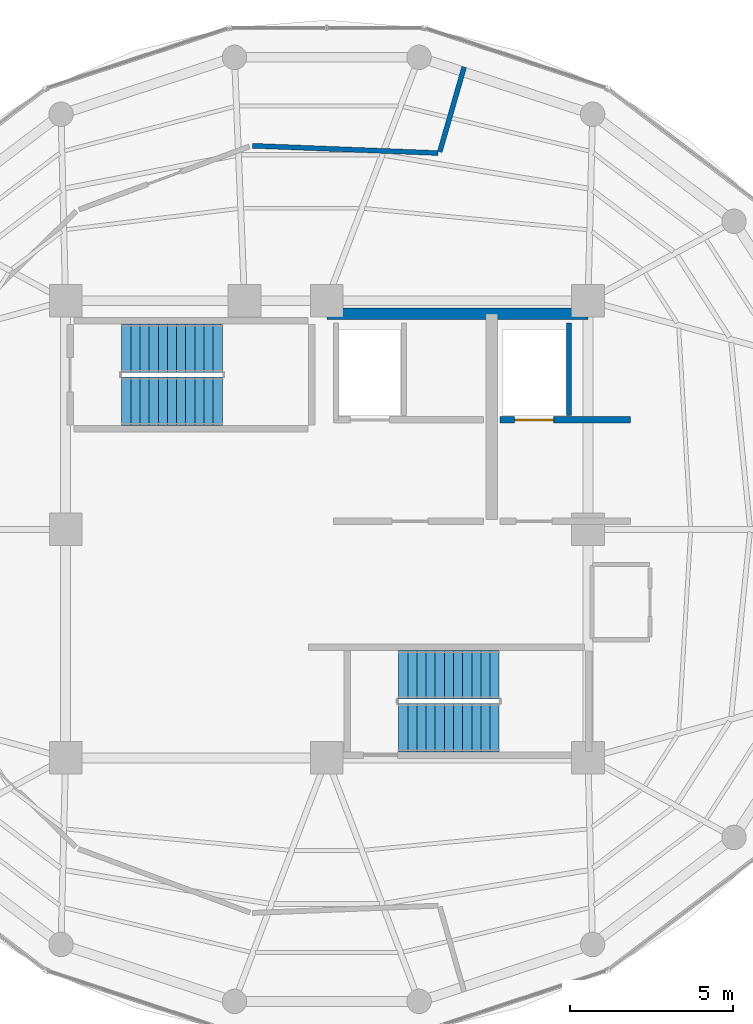
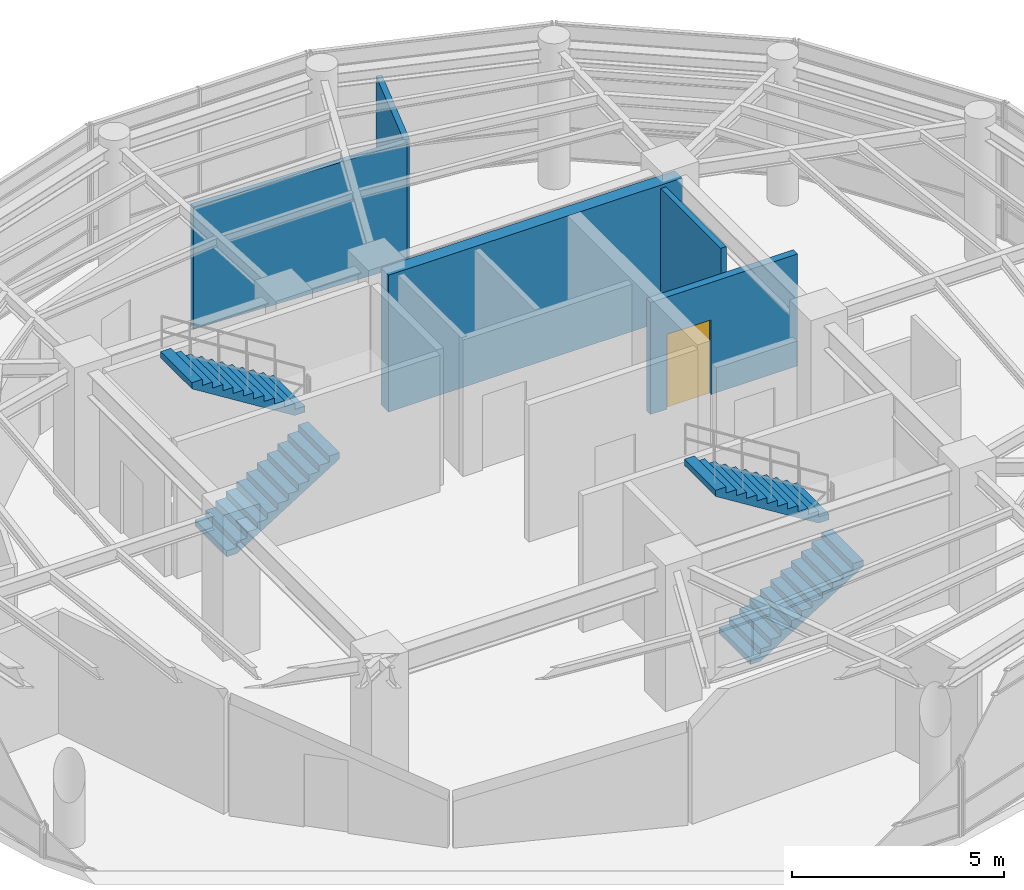
# One storey, part 18 of 19: 5 walls, 4 stair flights, 1 door, 1 opening, 2 elements without a shape of their own.
"""IFC4 building model written with IfcOpenShell, lengths in metres."""

from ifc_helpers import new_model, si_unit, direction, frame, frame_2d, origin, place, context, subcontext, project, spatial, polyline, rectangle, outline, extrude, material, layer, layer_set, type_object, element, fill, aggregate, save


model = new_model("IFC4")

# Units and contexts
model_context = context("Model", 3, precision=1e-05, world=origin(), true_north=direction((0.0, 1.0)))
body_context = subcontext(model_context, "Body", "Model", "MODEL_VIEW")
ifc_project = project(units=[si_unit("LENGTHUNIT", "METRE"), si_unit("AREAUNIT", "SQUARE_METRE"), si_unit("VOLUMEUNIT", "CUBIC_METRE"), si_unit("PLANEANGLEUNIT", "RADIAN"), si_unit("MASSUNIT", "GRAM", prefix="KILO")], contexts=[model_context])

# Site, building, storey
site_placement = place(None, origin())
site = spatial("IfcSite", under=ifc_project, at=site_placement, CompositionType="ELEMENT")
building_placement = place(site_placement, origin())
building = spatial("IfcBuilding", under=site, at=building_placement, Name="Kelanora Arch Commons", CompositionType="ELEMENT")
storey_placement = place(building_placement, frame((0.0, 0.0, 302.699951171875)))
storey = spatial("IfcBuildingStorey", under=building, at=storey_placement, Name="L77", CompositionType="ELEMENT", Elevation=302.699951171875)

# Walls
ifc_material_1 = material(Name="Autoclaved aerated concrete blockwork with fire plaster", Category="masonry")
ifc_layer_1 = layer(ifc_material_1, 0.14990234375)
ifc_layer_set_1 = layer_set([ifc_layer_1], Name="Autoclaved aerated concrete blockwork with fire plaster")
wall_type_1 = type_object("IfcWallType", Name="W-COMP-150", PredefinedType="PARTITIONING", material=ifc_layer_set_1)
wall_1_placement = place(storey_placement, frame((81.419921875, 61.47998046875, 0.0), z_axis=(0.0, 0.0, 1.0), x_axis=(0.0, 1.0, 0.0)))
element("IfcWall", 1, at=wall_1_placement, inside=storey, type_object=wall_type_1, Name="Firefighting Lift 2 East Shaft Wall L77", PredefinedType="PARTITIONING", context=body_context, shape_type="SweptSolid", body=[
    extrude(rectangle(XDim=2.840087890625, YDim=0.14990234375, at=frame_2d((1.419921875, 0.0))), origin(), (0.0, 0.0, 1.0), 3.929931640625),
])
wall_2_placement = place(storey_placement, frame((77.409912109375, 69.524658203125, 0.0), z_axis=(0.0, 0.0, 1.0), x_axis=(-0.999233860457, 0.03913683834, 0.0)))
element("IfcWall", 2, at=wall_2_placement, inside=storey, type_object=wall_type_1, Name="Crown Chiller and Cooling Tower Plant Room L77 Enclosure Partition 1", PredefinedType="PARTITIONING", context=body_context, shape_type="SweptSolid", body=[
    extrude(rectangle(XDim=5.689208984375, YDim=0.14990234375, at=frame_2d((2.8447265625, 0.0))), origin(), (0.0, 0.0, 1.0), 3.525146484375),
])
wall_3_placement = place(storey_placement, frame((78.2080078125, 72.16064453125, 0.0), z_axis=(0.0, 0.0, 1.0), x_axis=(-0.276223004297, -0.961093570833, 0.0)))
element("IfcWall", 3, at=wall_3_placement, inside=storey, type_object=wall_type_1, Name="Crown Chiller and Cooling Tower Plant Room L77 Enclosure Partition 10", PredefinedType="PARTITIONING", context=body_context, shape_type="SweptSolid", body=[
    extrude(rectangle(XDim=2.70458984375, YDim=0.14990234375, at=frame_2d((1.352294921875, 0.0))), origin(), (0.0, 0.0, 1.0), 3.525146484375),
])
ifc_material_2 = material(Name="Concrete C50/60", Category="concrete")
ifc_layer_2 = layer(ifc_material_2, 0.35009765625)
ifc_layer_set_2 = layer_set([ifc_layer_2], Name="Concrete C50/60")
wall_type_2 = type_object("IfcWallType", Name="W-CORE-350", PredefinedType="SHEAR", material=ifc_layer_set_2)
wall_4_placement = place(storey_placement, frame((74.0, 64.60009765625, 0.0), z_axis=(0.0, 0.0, 1.0), x_axis=(1.0, 0.0, 0.0)))
element("IfcWall", 4, at=wall_4_placement, inside=storey, type_object=wall_type_2, Name="Core Shear Spine L77-CN-E", PredefinedType="SHEAR", context=body_context, shape_type="SweptSolid", body=[
    extrude(rectangle(XDim=8.0, YDim=0.35009765625, at=frame_2d((4.0, 0.0))), origin(), (0.0, 0.0, 1.0), 3.93994140625),
])

# Wall, opening, door
ifc_material_3 = material(Name="Concrete C40/50", Category="concrete")
ifc_layer_3 = layer(ifc_material_3, 0.199951171875)
ifc_layer_set_3 = layer_set([ifc_layer_3], Name="Concrete C40/50")
wall_type_3 = type_object("IfcWallType", Name="W-FFL-200", PredefinedType="SOLIDWALL", material=ifc_layer_set_3)
wall_5_placement = place(storey_placement, frame((79.300048828125, 61.35009765625, 0.0), z_axis=(0.0, 0.0, 1.0), x_axis=(1.0, 0.0, 0.0)))
wall_5 = element("IfcWall", 5, at=wall_5_placement, inside=storey, type_object=wall_type_3, Name="Firefighting Lift 2 Shaft Front L77", PredefinedType="SOLIDWALL", context=body_context, shape_type="SweptSolid", body=[
    extrude(rectangle(XDim=4.0, YDim=0.199951171875, at=frame_2d((2.0, 0.0))), origin(), (0.0, 0.0, 1.0), 3.22509765625),
])
opening_placement = place(wall_5_placement, frame((0.449951171875, 0.0, 0.0)))
opening = element("IfcOpeningElement", 6, at=opening_placement, cuts=wall_5, Name="Opening LD-FF", PredefinedType="OPENING", context=body_context, shape_type="SweptSolid", body=[
    extrude(rectangle(XDim=1.199951171875, YDim=2.14990234375, at=frame_2d((0.60009765625, 1.074951171875))), frame((0.0, 0.10986328125, 0.0), z_axis=(0.0, -1.0, 0.0), x_axis=(1.0, 0.0, 0.0)), (0.0, 0.0, 1.0), 0.219970703125),
])
ifc_material_4 = material(Name="Fire-rated firefighters lift sliding landing door")
door_type = type_object("IfcDoorType", Name="D-LIFT-FF", OperationType="NOTDEFINED", PredefinedType="DOOR", material=ifc_material_4)
door_placement = place(opening_placement, origin())
door = element("IfcDoor", 7, at=door_placement, inside=storey, type_object=door_type, Name="Firefighting Lift LF-FF2 Landing Door L77", OperationType="DOUBLE_DOOR_SLIDING", OverallHeight=2.14990234375, OverallWidth=1.199951171875, PredefinedType="DOOR", context=body_context, shape_type="SweptSolid", body=[
    extrude(rectangle(XDim=1.199951171875, YDim=2.14990234375, at=frame_2d((0.60009765625, 1.074951171875))), frame((0.0, 0.02490234375, 0.0), z_axis=(0.0, -1.0, 0.0), x_axis=(1.0, 0.0, 0.0)), (0.0, 0.0, 1.0), 0.050048828125),
])
fill(opening, door)

# Stair, stair flights
stair_type = type_object("IfcStairType", Name="STR-DL-420", PredefinedType="HALF_TURN_STAIR", material=ifc_material_3)
stair_1_placement = place(storey_placement, origin())
stair_1 = element("IfcStair", 8, at=stair_1_placement, inside=storey, type_object=stair_type, Name="L77 ST-T1", PredefinedType="HALF_TURN_STAIR")
stair_flight_type = type_object("IfcStairFlightType", Name="FLT-DL-420", PredefinedType="STRAIGHT", material=ifc_material_3)
stair_flight_1_placement = place(storey_placement, frame((67.719970703125, 61.919921875, 0.0), z_axis=(0.0, 0.0, 1.0), x_axis=(1.0, 0.0, 0.0)))
stair_flight_1 = element("IfcStairFlight", 9, at=stair_flight_1_placement, type_object=stair_flight_type, Name="ST-T1 flight 1", NumberOfRisers=12, NumberOfTreads=11, PredefinedType="STRAIGHT", RiserHeight=0.175, TreadLength=0.28, context=body_context, shape_type="SweptSolid", body=[
    extrude(outline(polyline([(0.0, 0.0), (0.0, 0.175048828125), (0.280029296875, 0.175048828125), (0.280029296875, 0.35009765625), (0.56005859375, 0.35009765625), (0.56005859375, 0.52490234375), (0.840087890625, 0.52490234375), (0.840087890625, 0.699951171875), (1.1201171875, 0.699951171875), (1.1201171875, 0.875), (1.39990234375, 0.875), (1.39990234375, 1.050048828125), (1.679931640625, 1.050048828125), (1.679931640625, 1.22509765625), (1.9599609375, 1.22509765625), (1.9599609375, 1.39990234375), (2.239990234375, 1.39990234375), (2.239990234375, 1.574951171875), (2.52001953125, 1.574951171875), (2.52001953125, 1.75), (2.800048828125, 1.75), (2.800048828125, 1.925048828125), (3.080078125, 1.925048828125), (3.080078125, 2.10009765625), (3.080078125, 1.748291015625), (0.28271484375, 0.0), (0.0, 0.0)])), frame((0.0, 0.739990234375, 0.0), z_axis=(0.0, -1.0, 0.0), x_axis=(1.0, 0.0, 0.0)), (0.0, 0.0, 1.0), 1.47998046875),
])
stair_flight_2_placement = place(storey_placement, frame((70.800048828125, 63.550048828125, 2.10009765625), z_axis=(0.0, 0.0, 1.0), x_axis=(-1.0, 0.0, 0.0)))
stair_flight_2 = element("IfcStairFlight", 10, at=stair_flight_2_placement, type_object=stair_flight_type, Name="ST-T1 flight 2", NumberOfRisers=12, NumberOfTreads=11, PredefinedType="STRAIGHT", RiserHeight=0.175, TreadLength=0.28, context=body_context, shape_type="SweptSolid", body=[
    extrude(outline(polyline([(0.0, 0.0), (0.0, 0.175048828125), (0.280029296875, 0.175048828125), (0.280029296875, 0.35009765625), (0.56005859375, 0.35009765625), (0.56005859375, 0.52490234375), (0.840087890625, 0.52490234375), (0.840087890625, 0.699951171875), (1.1201171875, 0.699951171875), (1.1201171875, 0.875), (1.39990234375, 0.875), (1.39990234375, 1.050048828125), (1.679931640625, 1.050048828125), (1.679931640625, 1.22509765625), (1.9599609375, 1.22509765625), (1.9599609375, 1.39990234375), (2.239990234375, 1.39990234375), (2.239990234375, 1.574951171875), (2.52001953125, 1.574951171875), (2.52001953125, 1.75), (2.800048828125, 1.75), (2.800048828125, 1.925048828125), (3.080078125, 1.925048828125), (3.080078125, 2.10009765625), (3.080078125, 1.748291015625), (0.28271484375, 0.0), (0.0, 0.0)])), frame((0.0, 0.739990234375, 0.0), z_axis=(0.0, -1.0, 0.0), x_axis=(1.0, 0.0, 0.0)), (0.0, 0.0, 1.0), 1.47998046875),
])
aggregate(stair_1, [stair_flight_1, stair_flight_2])

stair_2_placement = place(storey_placement, origin())
stair_2 = element("IfcStair", 11, at=stair_2_placement, inside=storey, type_object=stair_type, Name="L77 ST-T2", PredefinedType="HALF_TURN_STAIR")
stair_flight_3_placement = place(storey_placement, frame((76.199951171875, 51.919921875, 0.0), z_axis=(0.0, 0.0, 1.0), x_axis=(1.0, 0.0, 0.0)))
stair_flight_3 = element("IfcStairFlight", 12, at=stair_flight_3_placement, type_object=stair_flight_type, Name="ST-T2 flight 1", NumberOfRisers=12, NumberOfTreads=11, PredefinedType="STRAIGHT", RiserHeight=0.175, TreadLength=0.28, context=body_context, shape_type="SweptSolid", body=[
    extrude(outline(polyline([(0.0, 0.0), (0.0, 0.175048828125), (0.280029296875, 0.175048828125), (0.280029296875, 0.35009765625), (0.56005859375, 0.35009765625), (0.56005859375, 0.52490234375), (0.840087890625, 0.52490234375), (0.840087890625, 0.699951171875), (1.1201171875, 0.699951171875), (1.1201171875, 0.875), (1.39990234375, 0.875), (1.39990234375, 1.050048828125), (1.679931640625, 1.050048828125), (1.679931640625, 1.22509765625), (1.9599609375, 1.22509765625), (1.9599609375, 1.39990234375), (2.239990234375, 1.39990234375), (2.239990234375, 1.574951171875), (2.52001953125, 1.574951171875), (2.52001953125, 1.75), (2.800048828125, 1.75), (2.800048828125, 1.925048828125), (3.080078125, 1.925048828125), (3.080078125, 2.10009765625), (3.080078125, 1.748291015625), (0.28271484375, 0.0), (0.0, 0.0)])), frame((0.0, 0.739990234375, 0.0), z_axis=(0.0, -1.0, 0.0), x_axis=(1.0, 0.0, 0.0)), (0.0, 0.0, 1.0), 1.47998046875),
])
stair_flight_4_placement = place(storey_placement, frame((79.280029296875, 53.550048828125, 2.10009765625), z_axis=(0.0, 0.0, 1.0), x_axis=(-1.0, 0.0, 0.0)))
stair_flight_4 = element("IfcStairFlight", 13, at=stair_flight_4_placement, type_object=stair_flight_type, Name="ST-T2 flight 2", NumberOfRisers=12, NumberOfTreads=11, PredefinedType="STRAIGHT", RiserHeight=0.175, TreadLength=0.28, context=body_context, shape_type="SweptSolid", body=[
    extrude(outline(polyline([(0.0, 0.0), (0.0, 0.175048828125), (0.280029296875, 0.175048828125), (0.280029296875, 0.35009765625), (0.56005859375, 0.35009765625), (0.56005859375, 0.52490234375), (0.840087890625, 0.52490234375), (0.840087890625, 0.699951171875), (1.1201171875, 0.699951171875), (1.1201171875, 0.875), (1.39990234375, 0.875), (1.39990234375, 1.050048828125), (1.679931640625, 1.050048828125), (1.679931640625, 1.22509765625), (1.9599609375, 1.22509765625), (1.9599609375, 1.39990234375), (2.239990234375, 1.39990234375), (2.239990234375, 1.574951171875), (2.52001953125, 1.574951171875), (2.52001953125, 1.75), (2.800048828125, 1.75), (2.800048828125, 1.925048828125), (3.080078125, 1.925048828125), (3.080078125, 2.10009765625), (3.080078125, 1.748291015625), (0.28271484375, 0.0), (0.0, 0.0)])), frame((0.0, 0.739990234375, 0.0), z_axis=(0.0, -1.0, 0.0), x_axis=(1.0, 0.0, 0.0)), (0.0, 0.0, 1.0), 1.47998046875),
])
aggregate(stair_2, [stair_flight_3, stair_flight_4])

save(model, "model.ifc")
